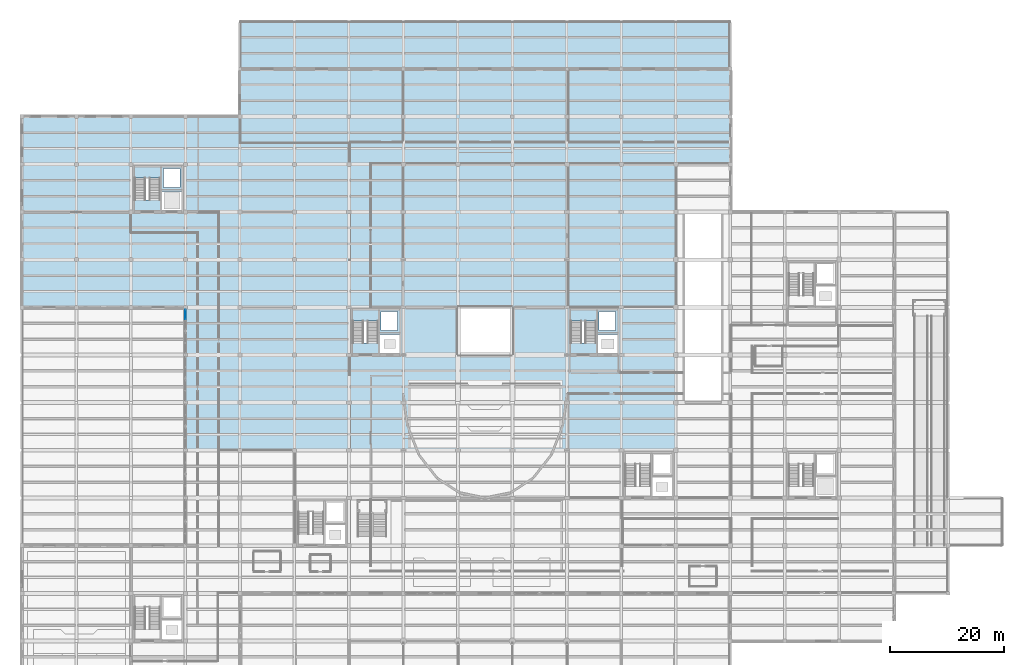
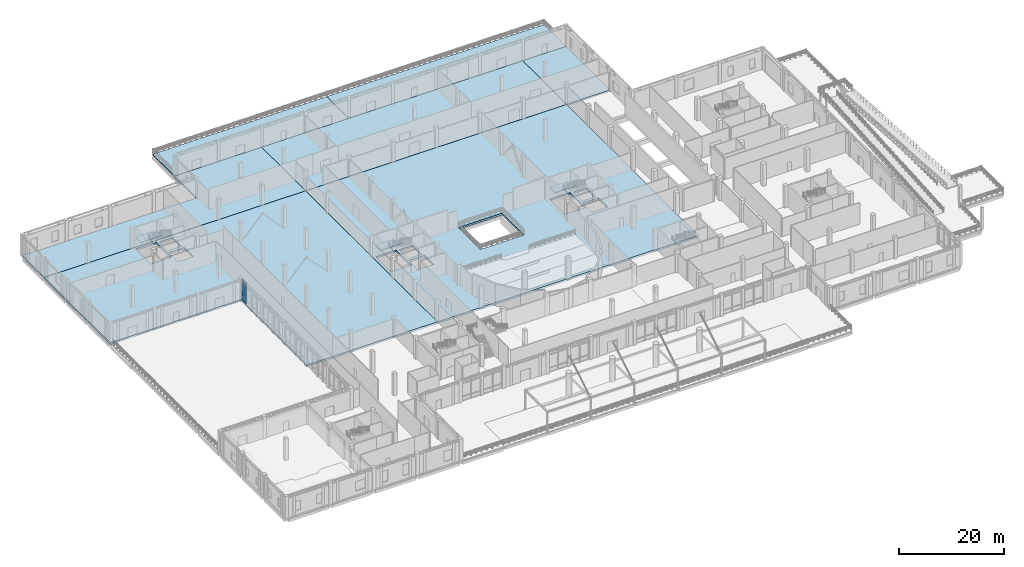
# One storey, part 42 of 71: 10 slabs, 3 plates, 4 elements without a shape of their own.
"""IFC4 building model written with IfcOpenShell, lengths in metres."""

from ifc_helpers import new_model, si_unit, direction, frame, origin, origin_2d, place, context, subcontext, project, spatial, polyline, rectangle, outline, extrude, material, layer, layer_set, type_object, element, aggregate, save


model = new_model("IFC4")

# Units and contexts
model_context = context("Model", 3, precision=1e-05, world=origin(), true_north=direction((0.0, 1.0)))
body_context = subcontext(model_context, "Body", "Model", "MODEL_VIEW")
ifc_project = project(units=[si_unit("LENGTHUNIT", "METRE"), si_unit("AREAUNIT", "SQUARE_METRE"), si_unit("VOLUMEUNIT", "CUBIC_METRE"), si_unit("PLANEANGLEUNIT", "RADIAN"), si_unit("MASSUNIT", "GRAM", prefix="KILO")], contexts=[model_context])

# Site, building, storey
site_placement = place(None, origin())
site = spatial("IfcSite", under=ifc_project, at=site_placement, CompositionType="ELEMENT")
building_placement = place(site_placement, origin())
building = spatial("IfcBuilding", under=site, at=building_placement, Name="Lornevale Opera House", CompositionType="ELEMENT")
storey_placement = place(building_placement, origin())
storey = spatial("IfcBuildingStorey", under=building, at=storey_placement, Name="L01", CompositionType="ELEMENT", Elevation=0.0)

# Curtain wall, plates
ifc_material_1 = material(Name="Anodized Oxide-Green Aluminium Framing", Category="aluminium")
ifc_layer_1 = layer(ifc_material_1, 0.215087890625)
ifc_layer_set_1 = layer_set([ifc_layer_1], Name="Anodized Oxide-Green Aluminium Framing")
curtain_wall_type = type_object("IfcCurtainWallType", Name="Grand Foyer Curtain Wall M2000", PredefinedType="NOTDEFINED", material=ifc_layer_set_1)
curtain_wall_placement = place(storey_placement, origin())
curtain_wall = element("IfcCurtainWall", 1, at=curtain_wall_placement, inside=storey, type_object=curtain_wall_type, Name="Grand Foyer Curtain Wall M2000 CW-010", PredefinedType="NOTDEFINED")
ifc_material_2 = material(Name="Triple Low-E Insulated Glazing", Category="glass")
ifc_layer_2 = layer(ifc_material_2, 0.0419921875)
ifc_layer_set_2 = layer_set([ifc_layer_2], Name="Triple Low-E Insulated Glazing")
plate_type = type_object("IfcPlateType", Name="Ceramic Fritted Bird-Safe Panel 42", PredefinedType="CURTAIN_PANEL", material=ifc_layer_set_2)
plate_1_placement = place(storey_placement, frame((28.800048828125, 65.941650390625, 0.074951171875), z_axis=(0.0, 0.0, 1.0), x_axis=(0.0, 1.0, 0.0)))
plate_1 = element("IfcPlate", 2, at=plate_1_placement, type_object=plate_type, Name="Ceramic Fritted Bird-Safe Panel 42 CW0168", PredefinedType="CURTAIN_PANEL", context=body_context, shape_type="SweptSolid", body=[
    extrude(rectangle(XDim=1.674560546875, YDim=0.0419921875, at=origin_2d()), origin(), (0.0, 0.0, 1.0), 0.9375),
])
plate_2_placement = place(storey_placement, frame((28.800048828125, 65.941650390625, 1.087646484375), z_axis=(0.0, 0.0, 1.0), x_axis=(0.0, 1.0, 0.0)))
plate_2 = element("IfcPlate", 3, at=plate_2_placement, type_object=plate_type, Name="Ceramic Fritted Bird-Safe Panel 42 CW0169", PredefinedType="CURTAIN_PANEL", context=body_context, shape_type="SweptSolid", body=[
    extrude(rectangle(XDim=1.674560546875, YDim=0.0419921875, at=origin_2d()), origin(), (0.0, 0.0, 1.0), 3.02490234375),
])
plate_3_placement = place(storey_placement, frame((28.800048828125, 65.941650390625, 4.1875), z_axis=(0.0, 0.0, 1.0), x_axis=(0.0, 1.0, 0.0)))
plate_3 = element("IfcPlate", 4, at=plate_3_placement, type_object=plate_type, Name="Ceramic Fritted Bird-Safe Panel 42 CW0170", PredefinedType="CURTAIN_PANEL", context=body_context, shape_type="SweptSolid", body=[
    extrude(rectangle(XDim=1.674560546875, YDim=0.0419921875, at=origin_2d()), origin(), (0.0, 0.0, 1.0), 0.83740234375),
])
aggregate(curtain_wall, [plate_1, plate_2, plate_3])

# Slabs
ifc_material_3 = material(Name="Concrete 40 MPa (CSA A23.1 C-1)", Category="concrete")
ifc_layer_3 = layer(ifc_material_3, 0.25)
ifc_layer_set_3 = layer_set([ifc_layer_3], Name="Concrete 40 MPa (CSA A23.1 C-1)")
slab_type_1 = type_object("IfcSlabType", Name="Escarpment Terrace Deck Slab 250", PredefinedType="USERDEFINED", material=ifc_layer_set_3)
slab_1_placement = place(storey_placement, frame((0.0, 0.0, -0.25)))
element("IfcSlab", 5, at=slab_1_placement, inside=storey, type_object=slab_type_1, Name="North Stage Street Loading Bay Apron SL-030", ObjectType="TERRACE", PredefinedType="USERDEFINED", context=body_context, shape_type="SweptSolid", body=[
    extrude(outline(polyline([(76.800048828125, 117.60009765625), (86.39990234375, 117.60009765625), (96.0, 117.60009765625), (105.60009765625, 117.60009765625), (115.199951171875, 117.60009765625), (124.800048828125, 117.60009765625), (124.800048828125, 109.199951171875), (115.199951171875, 109.199951171875), (105.60009765625, 109.199951171875), (96.0, 109.199951171875), (86.39990234375, 109.199951171875), (76.800048828125, 109.199951171875), (76.800048828125, 117.60009765625)])), origin(), (0.0, 0.0, 1.0), 0.25),
])
slab_2_placement = place(storey_placement, frame((0.0, 0.0, -0.25)))
element("IfcSlab", 6, at=slab_2_placement, inside=storey, type_object=slab_type_1, Name="Escarpment Terrace Deck Slab 250 SL-033", ObjectType="TERRACE", PredefinedType="USERDEFINED", context=body_context, shape_type="SweptSolid", body=[
    extrude(outline(polyline([(67.199951171875, 117.60009765625), (76.800048828125, 117.60009765625), (76.800048828125, 109.199951171875), (67.199951171875, 109.199951171875), (57.60009765625, 109.199951171875), (48.0, 109.199951171875), (38.39990234375, 109.199951171875), (38.39990234375, 117.60009765625), (48.0, 117.60009765625), (57.60009765625, 117.60009765625), (67.199951171875, 117.60009765625)])), origin(), (0.0, 0.0, 1.0), 0.25),
])
ifc_layer_4 = layer(ifc_material_3, 0.3798828125)
ifc_layer_set_4 = layer_set([ifc_layer_4], Name="Concrete 40 MPa (CSA A23.1 C-1)")
slab_type_2 = type_object("IfcSlabType", Name="Heavy Workshop Floor Slab 380", PredefinedType="FLOOR", material=ifc_layer_set_4)
slab_3_placement = place(storey_placement, frame((0.0, 0.0, -0.3798828125)))
element("IfcSlab", 7, at=slab_3_placement, inside=storey, type_object=slab_type_2, Name="Heavy Workshop Floor Slab 380 SL-026", PredefinedType="FLOOR", context=body_context, shape_type="SweptSolid", body=[
    extrude(outline(polyline([(9.60009765625, 100.800048828125), (19.199951171875, 100.800048828125), (28.800048828125, 100.800048828125), (38.39990234375, 100.800048828125), (38.39990234375, 109.199951171875), (48.0, 109.199951171875), (57.60009765625, 109.199951171875), (57.60009765625, 100.800048828125), (57.60009765625, 92.39990234375), (48.0, 92.39990234375), (38.39990234375, 92.39990234375), (28.800048828125, 92.39990234375), (19.199951171875, 92.39990234375), (9.60009765625, 92.39990234375), (0.0, 92.39990234375), (0.0, 100.800048828125), (9.60009765625, 100.800048828125)])), origin(), (0.0, 0.0, 1.0), 0.3798828125),
])
ifc_layer_5 = layer(ifc_material_3, 0.360107421875)
ifc_layer_set_5 = layer_set([ifc_layer_5], Name="Concrete 40 MPa (CSA A23.1 C-1)")
slab_type_3 = type_object("IfcSlabType", Name="Main Stage Acoustic Slab 360", PredefinedType="FLOOR", material=ifc_layer_set_5)
slab_4_placement = place(storey_placement, frame((0.0, 0.0, -0.360107421875)))
element("IfcSlab", 8, at=slab_4_placement, inside=storey, type_object=slab_type_3, Name="Main Stage Acoustic Slab 360 SL-027", PredefinedType="FLOOR", context=body_context, shape_type="SweptSolid", body=[
    extrude(outline(polyline([(57.60009765625, 109.199951171875), (67.199951171875, 109.199951171875), (76.800048828125, 109.199951171875), (86.39990234375, 109.199951171875), (96.0, 109.199951171875), (105.60009765625, 109.199951171875), (115.199951171875, 109.199951171875), (115.199951171875, 100.800048828125), (115.199951171875, 92.39990234375), (105.60009765625, 92.39990234375), (96.0, 92.39990234375), (86.39990234375, 92.39990234375), (76.800048828125, 92.39990234375), (67.199951171875, 92.39990234375), (57.60009765625, 92.39990234375), (57.60009765625, 100.800048828125), (57.60009765625, 109.199951171875)])), origin(), (0.0, 0.0, 1.0), 0.360107421875),
])
slab_5_placement = place(storey_placement, frame((0.0, 0.0, -0.360107421875)))
element("IfcSlab", 9, at=slab_5_placement, inside=storey, type_object=slab_type_3, Name="Main Stage Acoustic Slab 360 SL-028", PredefinedType="FLOOR", context=body_context, shape_type="SweptSolid", body=[
    extrude(outline(polyline([(124.800048828125, 92.39990234375), (115.199951171875, 92.39990234375), (115.199951171875, 100.800048828125), (115.199951171875, 109.199951171875), (124.800048828125, 109.199951171875), (124.800048828125, 100.800048828125), (124.800048828125, 92.39990234375)])), origin(), (0.0, 0.0, 1.0), 0.360107421875),
])
ifc_layer_6 = layer(ifc_material_3, 0.43994140625)
ifc_layer_set_6 = layer_set([ifc_layer_6], Name="Concrete 40 MPa (CSA A23.1 C-1)")
slab_type_4 = type_object("IfcSlabType", Name="Plaza Transfer Ground Slab 440", PredefinedType="FLOOR", material=ifc_layer_set_6)
slab_6_placement = place(storey_placement, frame((0.0, 0.0, -0.43994140625)))
element("IfcSlab", 10, at=slab_6_placement, inside=storey, type_object=slab_type_4, Name="Plaza Transfer Ground Slab 440 SL-023", PredefinedType="FLOOR", context=body_context, shape_type="SweptSolid", body=[
    extrude(outline(polyline([(28.800048828125, 67.199951171875), (19.199951171875, 67.199951171875), (9.60009765625, 67.199951171875), (0.0, 67.199951171875), (0.0, 75.60009765625), (0.0, 84.0), (0.0, 92.39990234375), (9.60009765625, 92.39990234375), (19.199951171875, 92.39990234375), (28.800048828125, 92.39990234375), (38.39990234375, 92.39990234375), (48.0, 92.39990234375), (57.60009765625, 92.39990234375), (57.60009765625, 84.0), (57.60009765625, 75.60009765625), (57.60009765625, 67.199951171875), (57.60009765625, 58.800048828125), (57.60009765625, 50.39990234375), (57.60009765625, 42.0), (48.0, 42.0), (38.39990234375, 42.0), (28.800048828125, 42.0), (28.800048828125, 50.39990234375), (28.800048828125, 58.800048828125), (28.800048828125, 67.199951171875)]), holes=[polyline([(24.659912109375, 84.179931640625), (28.1201171875, 84.179931640625), (28.1201171875, 87.639892578125), (24.659912109375, 87.639892578125), (24.659912109375, 84.179931640625)]), polyline([(19.860107421875, 86.080078125), (24.340087890625, 86.080078125), (24.340087890625, 91.8798828125), (19.860107421875, 91.8798828125), (19.860107421875, 86.080078125)]), polyline([(24.89990234375, 88.300048828125), (27.800048828125, 88.300048828125), (27.800048828125, 91.639892578125), (24.89990234375, 91.639892578125), (24.89990234375, 88.300048828125)])]), origin(), (0.0, 0.0, 1.0), 0.43994140625),
])
slab_7_placement = place(storey_placement, frame((0.0, 0.0, -0.43994140625)))
element("IfcSlab", 11, at=slab_7_placement, inside=storey, type_object=slab_type_4, Name="Plaza Transfer Ground Slab 440 SL-024", PredefinedType="FLOOR", context=body_context, shape_type="SweptSolid", body=[
    extrude(outline(polyline([(67.199951171875, 42.0), (57.60009765625, 42.0), (57.60009765625, 50.39990234375), (57.60009765625, 58.800048828125), (57.60009765625, 67.199951171875), (57.60009765625, 75.60009765625), (57.60009765625, 84.0), (57.60009765625, 92.39990234375), (67.199951171875, 92.39990234375), (76.800048828125, 92.39990234375), (86.39990234375, 92.39990234375), (96.0, 92.39990234375), (105.60009765625, 92.39990234375), (115.199951171875, 92.39990234375), (115.199951171875, 84.0), (115.199951171875, 75.60009765625), (115.199951171875, 67.199951171875), (115.199951171875, 58.800048828125), (115.199951171875, 50.39990234375), (115.199951171875, 42.0), (105.60009765625, 42.0), (96.0, 42.0), (86.39990234375, 42.0), (76.800048828125, 42.0), (67.199951171875, 42.0)]), holes=[polyline([(76.800048828125, 67.199951171875), (76.800048828125, 58.800048828125), (86.39990234375, 58.800048828125), (86.39990234375, 67.199951171875), (76.800048828125, 67.199951171875)]), polyline([(63.06005859375, 58.97998046875), (66.52001953125, 58.97998046875), (66.52001953125, 62.43994140625), (63.06005859375, 62.43994140625), (63.06005859375, 58.97998046875)]), polyline([(58.260009765625, 60.8798828125), (62.739990234375, 60.8798828125), (62.739990234375, 66.679931640625), (58.260009765625, 66.679931640625), (58.260009765625, 60.8798828125)]), polyline([(101.4599609375, 58.97998046875), (104.919921875, 58.97998046875), (104.919921875, 62.43994140625), (101.4599609375, 62.43994140625), (101.4599609375, 58.97998046875)]), polyline([(96.659912109375, 60.8798828125), (101.139892578125, 60.8798828125), (101.139892578125, 66.679931640625), (96.659912109375, 66.679931640625), (96.659912109375, 60.8798828125)]), polyline([(63.300048828125, 63.10009765625), (66.199951171875, 63.10009765625), (66.199951171875, 66.43994140625), (63.300048828125, 66.43994140625), (63.300048828125, 63.10009765625)]), polyline([(101.699951171875, 63.10009765625), (104.60009765625, 63.10009765625), (104.60009765625, 66.43994140625), (101.699951171875, 66.43994140625), (101.699951171875, 63.10009765625)])]), origin(), (0.0, 0.0, 1.0), 0.43994140625),
])

# Stair, slab
ifc_material_4 = material(Name="Concrete 35 MPa (CSA A23.1 N)", Category="concrete")
ifc_layer_7 = layer(ifc_material_4, 5.39990234375)
ifc_layer_set_7 = layer_set([ifc_layer_7], Name="Concrete 35 MPa (CSA A23.1 N)")
stair_type_1 = type_object("IfcStairType", Name="Protected Exit Stair 5400-W1840", PredefinedType="TWO_STRAIGHT_RUN_STAIR", material=ifc_layer_set_7)
stair_1_placement = place(storey_placement, origin())
stair_1 = element("IfcStair", 12, at=stair_1_placement, inside=storey, type_object=stair_type_1, Name="North-West Workshop Core Stair ST-13 (L01-L02)", PredefinedType="TWO_STRAIGHT_RUN_STAIR")
ifc_layer_8 = layer(ifc_material_4, 0.219970703125)
ifc_layer_set_8 = layer_set([ifc_layer_8], Name="Concrete 35 MPa (CSA A23.1 N)")
slab_type_5 = type_object("IfcSlabType", Name="Stair Half-Landing Slab 220", PredefinedType="LANDING", material=ifc_layer_set_8)
slab_8_placement = place(storey_placement, frame((0.0, 0.0, 2.47998046875)))
slab_8 = element("IfcSlab", 13, at=slab_8_placement, type_object=slab_type_5, Name="ST-13 Half-Landing SL-LND-013", PredefinedType="LANDING", context=body_context, shape_type="SweptSolid", body=[
    extrude(outline(polyline([(19.800048828125, 89.9599609375), (24.39990234375, 89.9599609375), (24.39990234375, 91.97998046875), (19.800048828125, 91.97998046875), (19.800048828125, 89.9599609375)])), origin(), (0.0, 0.0, 1.0), 0.219970703125),
])
aggregate(stair_1, [slab_8])

stair_2_placement = place(storey_placement, origin())
stair_2 = element("IfcStair", 14, at=stair_2_placement, inside=storey, type_object=stair_type_1, Name="Auditorium West Tier Core Stair ST-16 (L01-L02)", PredefinedType="TWO_STRAIGHT_RUN_STAIR")
slab_9_placement = place(storey_placement, frame((0.0, 0.0, 2.47998046875)))
slab_9 = element("IfcSlab", 15, at=slab_9_placement, type_object=slab_type_5, Name="ST-16 Half-Landing SL-LND-016", PredefinedType="LANDING", context=body_context, shape_type="SweptSolid", body=[
    extrude(outline(polyline([(58.199951171875, 64.760009765625), (62.800048828125, 64.760009765625), (62.800048828125, 66.780029296875), (58.199951171875, 66.780029296875), (58.199951171875, 64.760009765625)])), origin(), (0.0, 0.0, 1.0), 0.219970703125),
])
aggregate(stair_2, [slab_9])

ifc_layer_9 = layer(ifc_material_4, 5.39990234375)
ifc_layer_set_9 = layer_set([ifc_layer_9], Name="Concrete 35 MPa (CSA A23.1 N)")
stair_type_2 = type_object("IfcStairType", Name="Firefighter Core Stair 5400-W1880", PredefinedType="TWO_STRAIGHT_RUN_STAIR", material=ifc_layer_set_9)
stair_3_placement = place(storey_placement, origin())
stair_3 = element("IfcStair", 16, at=stair_3_placement, inside=storey, type_object=stair_type_2, Name="Stagehouse Firefighter Core West Stair ST-22 (L01-L02)", PredefinedType="TWO_STRAIGHT_RUN_STAIR")
slab_10_placement = place(storey_placement, frame((0.0, 0.0, 2.47998046875)))
slab_10 = element("IfcSlab", 17, at=slab_10_placement, type_object=slab_type_5, Name="ST-22 Half-Landing SL-LND-022", PredefinedType="LANDING", context=body_context, shape_type="SweptSolid", body=[
    extrude(outline(polyline([(96.60009765625, 64.760009765625), (101.199951171875, 64.760009765625), (101.199951171875, 66.780029296875), (96.60009765625, 66.780029296875), (96.60009765625, 64.760009765625)])), origin(), (0.0, 0.0, 1.0), 0.219970703125),
])
aggregate(stair_3, [slab_10])

save(model, "model.ifc")
